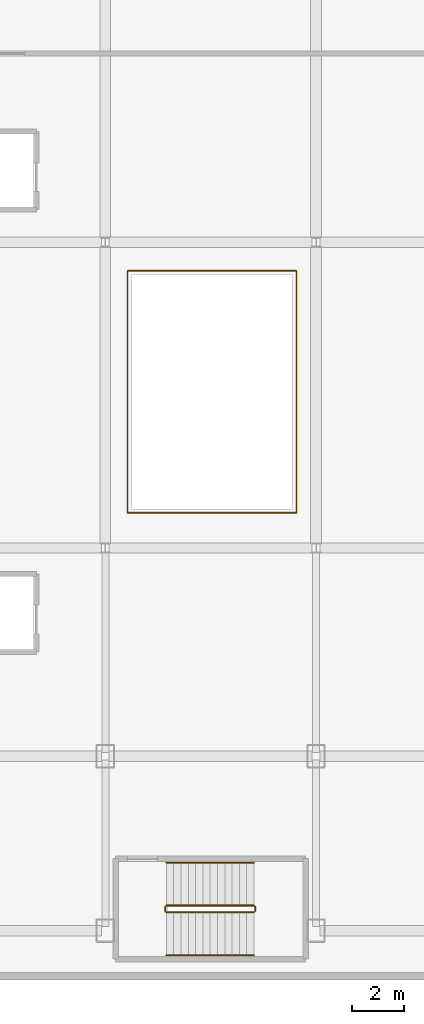
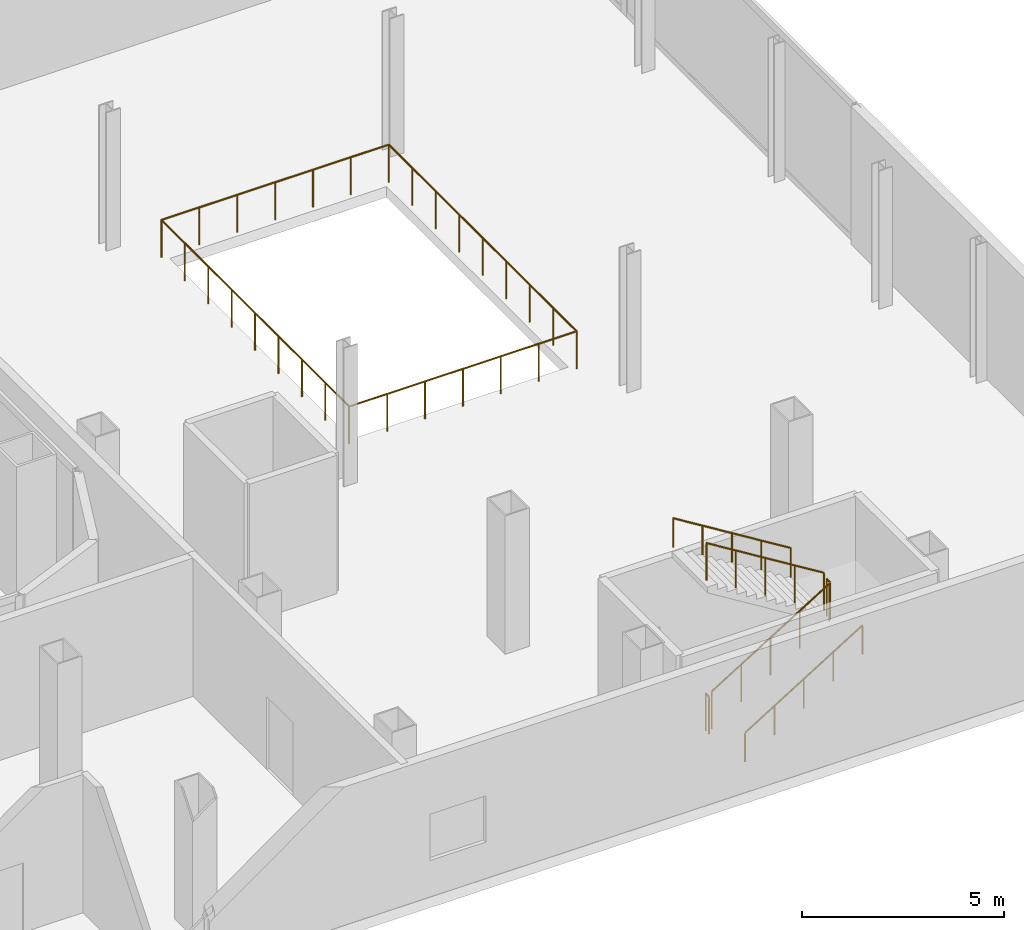
# One storey, part 25 of 27: 7 railings.
"""IFC4 building model written with IfcOpenShell, lengths in metres."""

from ifc_helpers import new_model, si_unit, direction, frame, origin, origin_2d, place, context, subcontext, project, spatial, circle, extrude, material, type_object, element, save


model = new_model("IFC4")

# Units and contexts
model_context = context("Model", 3, precision=1e-05, world=origin(), true_north=direction((0.0, 1.0)))
body_context = subcontext(model_context, "Body", "Model", "MODEL_VIEW")
ifc_project = project(units=[si_unit("LENGTHUNIT", "METRE"), si_unit("AREAUNIT", "SQUARE_METRE"), si_unit("VOLUMEUNIT", "CUBIC_METRE"), si_unit("PLANEANGLEUNIT", "RADIAN"), si_unit("MASSUNIT", "GRAM", prefix="KILO")], contexts=[model_context])

# Site, building, storey
site_placement = place(None, origin())
site = spatial("IfcSite", under=ifc_project, at=site_placement, CompositionType="ELEMENT")
building_placement = place(site_placement, origin())
building = spatial("IfcBuilding", under=site, at=building_placement, Name="Kolveth Station Tower", CompositionType="ELEMENT")
storey_placement = place(building_placement, frame((0.0, 0.0, 13.5)))
storey = spatial("IfcBuildingStorey", under=building, at=storey_placement, Name="L03", CompositionType="ELEMENT", Elevation=13.5)

# Railings
ifc_material_1 = material(Name="Painted Steel S355 balustrade", Category="steel")
railing_type_1 = type_object("IfcRailingType", Name="Guard_GR2", PredefinedType="BALUSTRADE", material=ifc_material_1)
railing_1_placement = place(storey_placement, frame((57.75, -8.5, 0.173095703125)))
element("IfcRailing", 1, at=railing_1_placement, inside=storey, type_object=railing_type_1, Name="L03 ST4 stair guard 1", PredefinedType="BALUSTRADE", context=body_context, shape_type="SweptSolid", body=[
    extrude(circle(Radius=0.02392578125, at=origin_2d()), frame((0.0, 0.0, 1.1259765625), z_axis=(0.850623216509, 0.0, 0.525775754039), x_axis=(0.0, 1.0, 0.0)), (0.0, 0.0, 1.0), 3.9501953125),
    extrude(circle(Radius=0.02099609375, at=origin_2d()), origin(), (0.0, 0.0, 1.0), 1.101806640625),
    extrude(circle(Radius=0.02099609375, at=origin_2d()), frame((0.840087890625, 0.0, 0.519287109375)), (0.0, 0.0, 1.0), 1.101806640625),
    extrude(circle(Radius=0.02099609375, at=origin_2d()), frame((1.68017578125, 0.0, 1.03857421875)), (0.0, 0.0, 1.0), 1.101806640625),
    extrude(circle(Radius=0.02099609375, at=origin_2d()), frame((2.52001953125, 0.0, 1.5576171875)), (0.0, 0.0, 1.0), 1.101806640625),
    extrude(circle(Radius=0.02099609375, at=origin_2d()), frame((3.360107421875, 0.0, 2.076904296875)), (0.0, 0.0, 1.0), 1.101806640625),
])
railing_2_placement = place(storey_placement, frame((61.159912109375, -8.449951171875, 2.25)))
element("IfcRailing", 2, at=railing_2_placement, inside=storey, type_object=railing_type_1, Name="L03 ST4 stair guard 2", PredefinedType="BALUSTRADE", context=body_context, shape_type="SweptSolid", body=[
    extrude(circle(Radius=0.02392578125, at=origin_2d()), frame((0.0, 0.0, 1.1259765625), z_axis=(0.0, 1.0, 0.0), x_axis=(-1.0, 0.0, 0.0)), (0.0, 0.0, 1.0), 0.159912109375),
    extrude(circle(Radius=0.02099609375, at=origin_2d()), origin(), (0.0, 0.0, 1.0), 1.101806640625),
    extrude(circle(Radius=0.02099609375, at=origin_2d()), frame((0.0, 0.159912109375, 0.0)), (0.0, 0.0, 1.0), 1.101806640625),
])
railing_3_placement = place(storey_placement, frame((61.110107421875, -8.239990234375, 2.423095703125)))
element("IfcRailing", 3, at=railing_3_placement, inside=storey, type_object=railing_type_1, Name="L03 ST4 stair guard 3", PredefinedType="BALUSTRADE", context=body_context, shape_type="SweptSolid", body=[
    extrude(circle(Radius=0.02392578125, at=origin_2d()), frame((0.0, 0.0, 1.1259765625), z_axis=(-0.850623216509, 0.0, 0.525775754039), x_axis=(0.0, -1.0, 0.0)), (0.0, 0.0, 1.0), 3.9501953125),
    extrude(circle(Radius=0.02099609375, at=origin_2d()), origin(), (0.0, 0.0, 1.0), 1.101806640625),
    extrude(circle(Radius=0.02099609375, at=origin_2d()), frame((-0.840087890625, 0.0, 0.519287109375)), (0.0, 0.0, 1.0), 1.101806640625),
    extrude(circle(Radius=0.02099609375, at=origin_2d()), frame((-1.68017578125, 0.0, 1.03857421875)), (0.0, 0.0, 1.0), 1.101806640625),
    extrude(circle(Radius=0.02099609375, at=origin_2d()), frame((-2.52001953125, 0.0, 1.5576171875)), (0.0, 0.0, 1.0), 1.101806640625),
    extrude(circle(Radius=0.02099609375, at=origin_2d()), frame((-3.360107421875, 0.0, 2.076904296875)), (0.0, 0.0, 1.0), 1.101806640625),
])
railing_4_placement = place(storey_placement, frame((57.699951171875, -8.449951171875, 0.0)))
element("IfcRailing", 4, at=railing_4_placement, inside=storey, type_object=railing_type_1, Name="L03 ST4 stair guard 4", PredefinedType="BALUSTRADE", context=body_context, shape_type="SweptSolid", body=[
    extrude(circle(Radius=0.02392578125, at=origin_2d()), frame((0.0, 0.0, 1.1259765625), z_axis=(0.0, 1.0, 0.0), x_axis=(-1.0, 0.0, 0.0)), (0.0, 0.0, 1.0), 0.159912109375),
    extrude(circle(Radius=0.02099609375, at=origin_2d()), origin(), (0.0, 0.0, 1.0), 1.101806640625),
    extrude(circle(Radius=0.02099609375, at=origin_2d()), frame((0.0, 0.159912109375, 0.0)), (0.0, 0.0, 1.0), 1.101806640625),
])
railing_5_placement = place(storey_placement, frame((56.25, 6.85009765625, 0.0)))
element("IfcRailing", 5, at=railing_5_placement, inside=storey, type_object=railing_type_1, Name="L03 Station Atrium Void Guard Railing", PredefinedType="BALUSTRADE", context=body_context, shape_type="SweptSolid", body=[
    extrude(circle(Radius=0.02392578125, at=origin_2d()), frame((0.0, 0.0, 1.1259765625), z_axis=(1.0, 0.0, 0.0), x_axis=(0.0, 1.0, 0.0)), (0.0, 0.0, 1.0), 6.5),
    extrude(circle(Radius=0.02392578125, at=origin_2d()), frame((6.5, 0.0, 1.1259765625), z_axis=(0.0, 1.0, 0.0), x_axis=(-1.0, 0.0, 0.0)), (0.0, 0.0, 1.0), 9.2998046875),
    extrude(circle(Radius=0.02392578125, at=origin_2d()), frame((6.5, 9.2998046875, 1.1259765625), z_axis=(-1.0, 0.0, 0.0), x_axis=(0.0, -1.0, 0.0)), (0.0, 0.0, 1.0), 6.5),
    extrude(circle(Radius=0.02392578125, at=origin_2d()), frame((0.0, 9.2998046875, 1.1259765625), z_axis=(0.0, -1.0, 0.0), x_axis=(1.0, 0.0, 0.0)), (0.0, 0.0, 1.0), 9.27490234375),
    extrude(circle(Radius=0.02099609375, at=origin_2d()), origin(), (0.0, 0.0, 1.0), 1.101806640625),
    extrude(circle(Radius=0.02099609375, at=origin_2d()), frame((1.083251953125, 0.0, 0.0)), (0.0, 0.0, 1.0), 1.101806640625),
    extrude(circle(Radius=0.02099609375, at=origin_2d()), frame((2.166748046875, 0.0, 0.0)), (0.0, 0.0, 1.0), 1.101806640625),
    extrude(circle(Radius=0.02099609375, at=origin_2d()), frame((3.25, 0.0, 0.0)), (0.0, 0.0, 1.0), 1.101806640625),
    extrude(circle(Radius=0.02099609375, at=origin_2d()), frame((4.333251953125, 0.0, 0.0)), (0.0, 0.0, 1.0), 1.101806640625),
    extrude(circle(Radius=0.02099609375, at=origin_2d()), frame((5.416748046875, 0.0, 0.0)), (0.0, 0.0, 1.0), 1.101806640625),
    extrude(circle(Radius=0.02099609375, at=origin_2d()), frame((6.5, 0.0, 0.0)), (0.0, 0.0, 1.0), 1.101806640625),
    extrude(circle(Radius=0.02099609375, at=origin_2d()), frame((6.5, 1.16259765625, 0.0)), (0.0, 0.0, 1.0), 1.101806640625),
    extrude(circle(Radius=0.02099609375, at=origin_2d()), frame((6.5, 2.324951171875, 0.0)), (0.0, 0.0, 1.0), 1.101806640625),
    extrude(circle(Radius=0.02099609375, at=origin_2d()), frame((6.5, 3.4873046875, 0.0)), (0.0, 0.0, 1.0), 1.101806640625),
    extrude(circle(Radius=0.02099609375, at=origin_2d()), frame((6.5, 4.64990234375, 0.0)), (0.0, 0.0, 1.0), 1.101806640625),
    extrude(circle(Radius=0.02099609375, at=origin_2d()), frame((6.5, 5.8125, 0.0)), (0.0, 0.0, 1.0), 1.101806640625),
    extrude(circle(Radius=0.02099609375, at=origin_2d()), frame((6.5, 6.974853515625, 0.0)), (0.0, 0.0, 1.0), 1.101806640625),
    extrude(circle(Radius=0.02099609375, at=origin_2d()), frame((6.5, 8.13720703125, 0.0)), (0.0, 0.0, 1.0), 1.101806640625),
    extrude(circle(Radius=0.02099609375, at=origin_2d()), frame((6.5, 9.2998046875, 0.0)), (0.0, 0.0, 1.0), 1.101806640625),
    extrude(circle(Radius=0.02099609375, at=origin_2d()), frame((5.416748046875, 9.2998046875, 0.0)), (0.0, 0.0, 1.0), 1.101806640625),
    extrude(circle(Radius=0.02099609375, at=origin_2d()), frame((4.333251953125, 9.2998046875, 0.0)), (0.0, 0.0, 1.0), 1.101806640625),
    extrude(circle(Radius=0.02099609375, at=origin_2d()), frame((3.25, 9.2998046875, 0.0)), (0.0, 0.0, 1.0), 1.101806640625),
    extrude(circle(Radius=0.02099609375, at=origin_2d()), frame((2.166748046875, 9.2998046875, 0.0)), (0.0, 0.0, 1.0), 1.101806640625),
    extrude(circle(Radius=0.02099609375, at=origin_2d()), frame((1.083251953125, 9.2998046875, 0.0)), (0.0, 0.0, 1.0), 1.101806640625),
    extrude(circle(Radius=0.02099609375, at=origin_2d()), frame((0.0, 9.2998046875, 0.0)), (0.0, 0.0, 1.0), 1.101806640625),
    extrude(circle(Radius=0.02099609375, at=origin_2d()), frame((0.0, 8.140380859375, 0.0)), (0.0, 0.0, 1.0), 1.101806640625),
    extrude(circle(Radius=0.02099609375, at=origin_2d()), frame((0.0, 6.98095703125, 0.0)), (0.0, 0.0, 1.0), 1.101806640625),
    extrude(circle(Radius=0.02099609375, at=origin_2d()), frame((0.0, 5.82177734375, 0.0)), (0.0, 0.0, 1.0), 1.101806640625),
    extrude(circle(Radius=0.02099609375, at=origin_2d()), frame((0.0, 4.662353515625, 0.0)), (0.0, 0.0, 1.0), 1.101806640625),
    extrude(circle(Radius=0.02099609375, at=origin_2d()), frame((0.0, 3.5029296875, 0.0)), (0.0, 0.0, 1.0), 1.101806640625),
    extrude(circle(Radius=0.02099609375, at=origin_2d()), frame((0.0, 2.34375, 0.0)), (0.0, 0.0, 1.0), 1.101806640625),
    extrude(circle(Radius=0.02099609375, at=origin_2d()), frame((0.0, 1.184326171875, 0.0)), (0.0, 0.0, 1.0), 1.101806640625),
    extrude(circle(Radius=0.02099609375, at=origin_2d()), frame((0.0, 0.02490234375, 0.0)), (0.0, 0.0, 1.0), 1.101806640625),
])
ifc_material_2 = material(Name="Brushed stainless steel", Category="steel")
railing_type_2 = type_object("IfcRailingType", Name="Handrail_HR1", PredefinedType="HANDRAIL", material=ifc_material_2)
railing_6_placement = place(storey_placement, frame((57.75, -10.14990234375, 0.173095703125)))
element("IfcRailing", 6, at=railing_6_placement, inside=storey, type_object=railing_type_2, Name="L03 ST4 stair handrail 1", PredefinedType="HANDRAIL", context=body_context, shape_type="SweptSolid", body=[
    extrude(circle(Radius=0.02392578125, at=origin_2d()), frame((0.0, 0.0, 0.8759765625), z_axis=(0.850623216509, 0.0, 0.525775754039), x_axis=(0.0, 1.0, 0.0)), (0.0, 0.0, 1.0), 3.9501953125),
    extrude(circle(Radius=0.02099609375, at=origin_2d()), origin(), (0.0, 0.0, 1.0), 0.851806640625),
    extrude(circle(Radius=0.02099609375, at=origin_2d()), frame((0.840087890625, 0.0, 0.519287109375)), (0.0, 0.0, 1.0), 0.851806640625),
    extrude(circle(Radius=0.02099609375, at=origin_2d()), frame((1.68017578125, 0.0, 1.03857421875)), (0.0, 0.0, 1.0), 0.851806640625),
    extrude(circle(Radius=0.02099609375, at=origin_2d()), frame((2.52001953125, 0.0, 1.5576171875)), (0.0, 0.0, 1.0), 0.851806640625),
    extrude(circle(Radius=0.02099609375, at=origin_2d()), frame((3.360107421875, 0.0, 2.076904296875)), (0.0, 0.0, 1.0), 0.851806640625),
])
railing_7_placement = place(storey_placement, frame((61.110107421875, -6.590087890625, 2.423095703125)))
element("IfcRailing", 7, at=railing_7_placement, inside=storey, type_object=railing_type_2, Name="L03 ST4 stair handrail 2", PredefinedType="HANDRAIL", context=body_context, shape_type="SweptSolid", body=[
    extrude(circle(Radius=0.02392578125, at=origin_2d()), frame((0.0, 0.0, 0.8759765625), z_axis=(-0.850623216509, 0.0, 0.525775754039), x_axis=(0.0, -1.0, 0.0)), (0.0, 0.0, 1.0), 3.9501953125),
    extrude(circle(Radius=0.02099609375, at=origin_2d()), origin(), (0.0, 0.0, 1.0), 0.851806640625),
    extrude(circle(Radius=0.02099609375, at=origin_2d()), frame((-0.840087890625, 0.0, 0.519287109375)), (0.0, 0.0, 1.0), 0.851806640625),
    extrude(circle(Radius=0.02099609375, at=origin_2d()), frame((-1.68017578125, 0.0, 1.03857421875)), (0.0, 0.0, 1.0), 0.851806640625),
    extrude(circle(Radius=0.02099609375, at=origin_2d()), frame((-2.52001953125, 0.0, 1.5576171875)), (0.0, 0.0, 1.0), 0.851806640625),
    extrude(circle(Radius=0.02099609375, at=origin_2d()), frame((-3.360107421875, 0.0, 2.076904296875)), (0.0, 0.0, 1.0), 0.851806640625),
])

save(model, "model.ifc")
